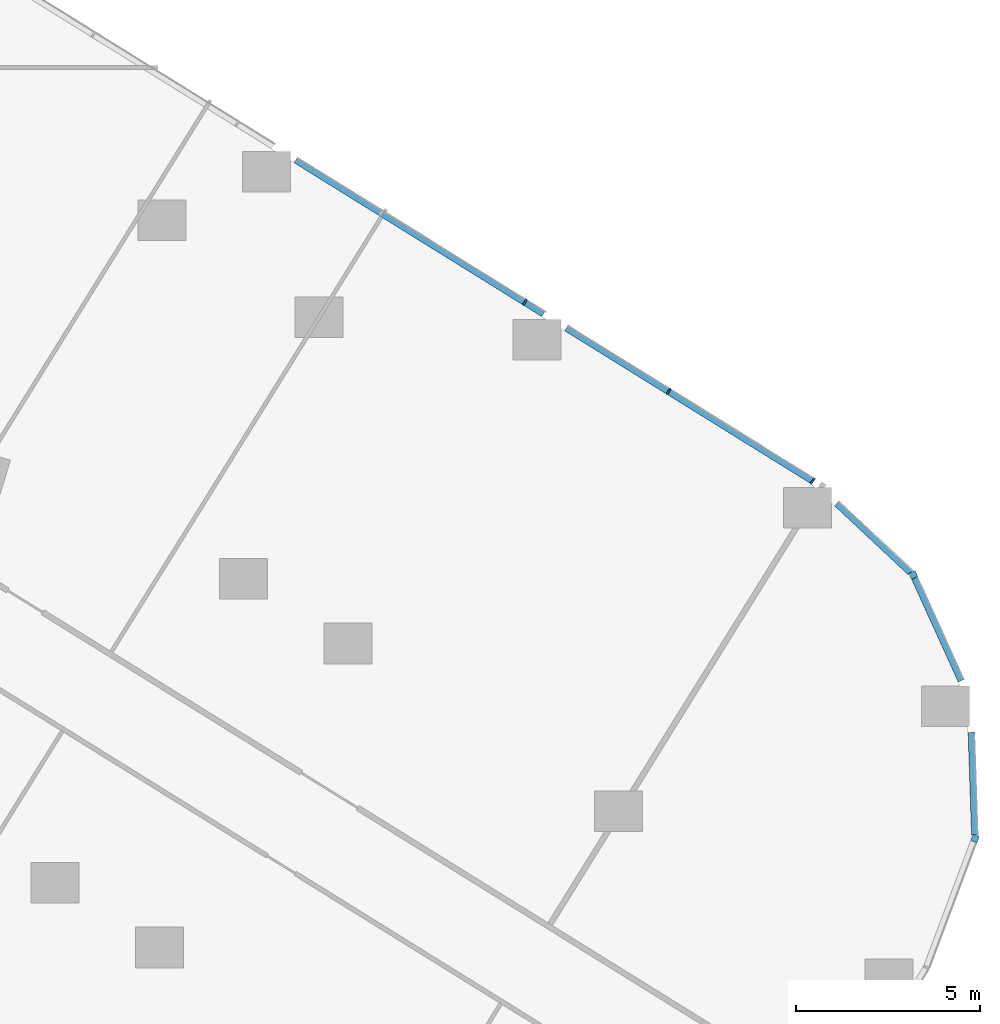
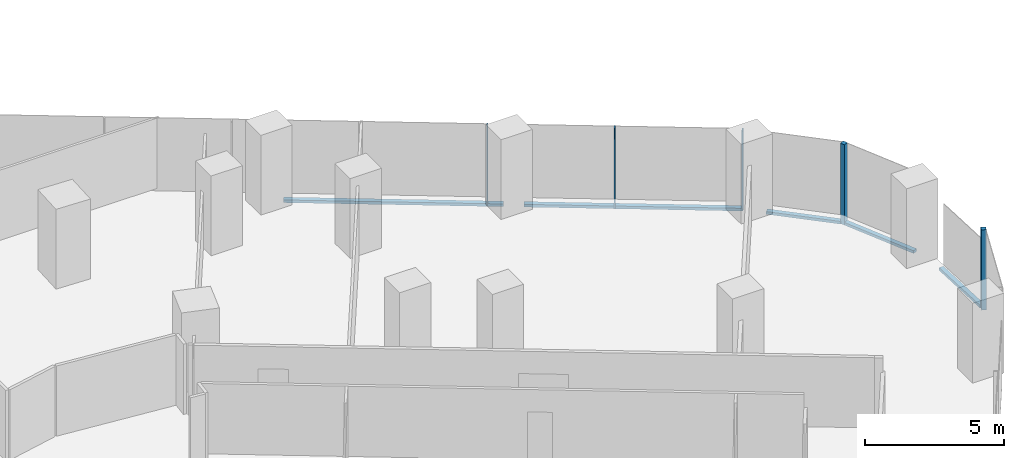
# One storey, part 11 of 33: 10 members, 5 elements without a shape of their own.
"""IFC4 building model written with IfcOpenShell, lengths in metres."""

from ifc_helpers import new_model, si_unit, direction, frame, origin, origin_2d, place, context, subcontext, project, spatial, rectangle, extrude, material, material_profile, profile_set, type_object, element, aggregate, save


model = new_model("IFC4")

# Units and contexts
model_context = context("Model", 3, precision=1e-05, world=origin(), true_north=direction((0.0, 1.0)))
body_context = subcontext(model_context, "Body", "Model", "MODEL_VIEW")
ifc_project = project(units=[si_unit("LENGTHUNIT", "METRE"), si_unit("AREAUNIT", "SQUARE_METRE"), si_unit("VOLUMEUNIT", "CUBIC_METRE"), si_unit("PLANEANGLEUNIT", "RADIAN"), si_unit("MASSUNIT", "GRAM", prefix="KILO")], contexts=[model_context])

# Site, building, storey
site_placement = place(None, origin())
site = spatial("IfcSite", under=ifc_project, at=site_placement, CompositionType="ELEMENT")
building_placement = place(site_placement, origin())
building = spatial("IfcBuilding", under=site, at=building_placement, Name="Orlundy Tower", CompositionType="ELEMENT")
storey_placement = place(building_placement, frame((0.0, 0.0, 51.300048828125)))
storey = spatial("IfcBuildingStorey", under=building, at=storey_placement, Name="L11", CompositionType="ELEMENT", Elevation=51.300048828125)

# Curtain wall, member
ifc_material_1 = material(Name="Aluminium bronze anodised", Category="aluminium")
curtain_wall_type = type_object("IfcCurtainWallType", Name="CW1 wall", PredefinedType="NOTDEFINED", material=ifc_material_1)
curtain_wall_1_placement = place(storey_placement, origin())
curtain_wall_1 = element("IfcCurtainWall", 1, at=curtain_wall_1_placement, inside=storey, type_object=curtain_wall_type, Name="CW1 run 08", PredefinedType="NOTDEFINED")
ifc_material_2 = material(Name="Aluminium bronze anodised", Category="aluminium")
ifc_material_profile_1 = material_profile(ifc_material_2, rectangle(XDim=0.179931640625, YDim=0.179931640625, at=origin_2d()), Name="CW1 corner post 180x180")
ifc_profile_set_1 = profile_set([ifc_material_profile_1], Name="Aluminium bronze anodised")
member_type_1 = type_object("IfcMemberType", Name="CW1 corner post 180x180", PredefinedType="MULLION", material=ifc_profile_set_1)
member_1_placement = place(storey_placement, frame((55.810546875, -11.859375, -0.420166015625), z_axis=(0.0, 0.0, 1.0), x_axis=(0.91057887201, 0.413335357608, 0.0)))
member_1 = element("IfcMember", 2, at=member_1_placement, type_object=member_type_1, Name="CW1 mullion 33", PredefinedType="MULLION", context=body_context, shape_type="SweptSolid", body=[
    extrude(rectangle(XDim=0.179931640625, YDim=0.179931640625, at=origin_2d()), origin(), (0.0, 0.0, 1.0), 3.52001953125),
])

curtain_wall_2_placement = place(storey_placement, origin())
curtain_wall_2 = element("IfcCurtainWall", 3, at=curtain_wall_2_placement, inside=storey, type_object=curtain_wall_type, Name="CW1 run 010", PredefinedType="NOTDEFINED")
member_2_placement = place(storey_placement, frame((57.482666015625, -19.0078125, -0.420166015625), z_axis=(0.0, 0.0, 1.0), x_axis=(0.936173864009, -0.351537332791, 0.0)))
member_2 = element("IfcMember", 4, at=member_2_placement, type_object=member_type_1, Name="CW1 mullion 35", PredefinedType="MULLION", context=body_context, shape_type="SweptSolid", body=[
    extrude(rectangle(XDim=0.179931640625, YDim=0.179931640625, at=origin_2d()), origin(), (0.0, 0.0, 1.0), 3.52001953125),
])
aggregate(curtain_wall_2, [member_2])

# Curtain wall, members
curtain_wall_3_placement = place(storey_placement, origin())
curtain_wall_3 = element("IfcCurtainWall", 5, at=curtain_wall_3_placement, inside=storey, type_object=curtain_wall_type, Name="CW1 run 06", PredefinedType="NOTDEFINED")
ifc_material_3 = material(Name="Aluminium bronze anodised", Category="aluminium")
ifc_material_profile_2 = material_profile(ifc_material_3, rectangle(XDim=0.179931640625, YDim=0.050048828125, at=origin_2d()), Name="CW1 mullion 50x180")
ifc_profile_set_2 = profile_set([ifc_material_profile_2], Name="Aluminium bronze anodised")
member_type_2 = type_object("IfcMemberType", Name="CW1 mullion 50x180", PredefinedType="MULLION", material=ifc_profile_set_2)
member_3_placement = place(storey_placement, frame((45.278564453125, -4.4638671875, -0.420166015625), z_axis=(0.0, 0.0, 1.0), x_axis=(0.527453271529, 0.849584043137, 0.0)))
member_3 = element("IfcMember", 6, at=member_3_placement, type_object=member_type_2, Name="CW1 mullion 30", PredefinedType="MULLION", context=body_context, shape_type="SweptSolid", body=[
    extrude(rectangle(XDim=0.179931640625, YDim=0.050048828125, at=origin_2d()), origin(), (0.0, 0.0, 1.0), 3.52001953125),
])
member_4_placement = place(storey_placement, frame((49.177001953125, -6.88427734375, -0.420166015625), z_axis=(0.0, 0.0, 1.0), x_axis=(0.527453271529, 0.849584043137, 0.0)))
member_4 = element("IfcMember", 7, at=member_4_placement, type_object=member_type_2, Name="CW1 mullion 31", PredefinedType="MULLION", context=body_context, shape_type="SweptSolid", body=[
    extrude(rectangle(XDim=0.179931640625, YDim=0.050048828125, at=origin_2d()), origin(), (0.0, 0.0, 1.0), 3.52001953125),
])

# Curtain wall, member
curtain_wall_4_placement = place(storey_placement, origin())
curtain_wall_4 = element("IfcCurtainWall", 8, at=curtain_wall_4_placement, inside=storey, type_object=curtain_wall_type, Name="CW1 run 07", PredefinedType="NOTDEFINED")
member_5_placement = place(storey_placement, frame((53.0830078125, -9.309326171875, -0.420166015625), z_axis=(0.0, 0.0, 1.0), x_axis=(0.608136954191, 0.793832126427, 0.0)))
member_5 = element("IfcMember", 9, at=member_5_placement, type_object=member_type_2, Name="CW1 mullion 32", PredefinedType="MULLION", context=body_context, shape_type="SweptSolid", body=[
    extrude(rectangle(XDim=0.179931640625, YDim=0.050048828125, at=origin_2d()), origin(), (0.0, 0.0, 1.0), 3.52001953125),
])

# Member
ifc_material_4 = material(Name="Aluminium bronze anodised", Category="aluminium")
ifc_material_profile_3 = material_profile(ifc_material_4, rectangle(XDim=0.179931640625, YDim=0.1201171875, at=origin_2d()), Name="CW1 transom 180x120")
ifc_profile_set_3 = profile_set([ifc_material_profile_3], Name="Aluminium bronze anodised")
member_type_3 = type_object("IfcMemberType", Name="CW1 transom 180x120", PredefinedType="USERDEFINED", material=ifc_profile_set_3)
member_6_placement = place(storey_placement, frame((39.069091796875, -0.60888671875, -0.360107421875), z_axis=(0.84958050757, -0.527458966326, 0.0), x_axis=(0.527458966326, 0.84958050757, 0.0)))
member_6 = element("IfcMember", 10, at=member_6_placement, type_object=member_type_3, Name="CW1 transom", ObjectType="TRANSOM", PredefinedType="USERDEFINED", context=body_context, shape_type="SweptSolid", body=[
    extrude(rectangle(XDim=0.179931640625, YDim=0.1201171875, at=origin_2d()), origin(), (0.0, 0.0, 1.0), 7.904296875),
])

member_7_placement = place(storey_placement, frame((46.404052734375, -5.16259765625, -0.360107421875), z_axis=(0.849587212387, -0.527448166693, 0.0), x_axis=(0.527448166693, 0.849587212387, 0.0)))
member_7 = element("IfcMember", 11, at=member_7_placement, type_object=member_type_3, Name="CW1 transom", ObjectType="TRANSOM", PredefinedType="USERDEFINED", context=body_context, shape_type="SweptSolid", body=[
    extrude(rectangle(XDim=0.179931640625, YDim=0.1201171875, at=origin_2d()), origin(), (0.0, 0.0, 1.0), 7.83642578125),
])

aggregate(curtain_wall_3, [member_3, member_4, member_6, member_7])

member_8_placement = place(storey_placement, frame((53.736083984375, -9.919677734375, -0.360107421875), z_axis=(0.73043039974, -0.682987138338, 0.0), x_axis=(0.682987138338, 0.73043039974, 0.0)))
member_8 = element("IfcMember", 12, at=member_8_placement, type_object=member_type_3, Name="CW1 transom", ObjectType="TRANSOM", PredefinedType="USERDEFINED", context=body_context, shape_type="SweptSolid", body=[
    extrude(rectangle(XDim=0.179931640625, YDim=0.1201171875, at=origin_2d()), origin(), (0.0, 0.0, 1.0), 2.74267578125),
])

aggregate(curtain_wall_4, [member_5, member_8])

member_9_placement = place(storey_placement, frame((55.84765625, -11.94140625, -0.360107421875), z_axis=(0.413357645498, -0.91056875463, 0.0), x_axis=(0.91056875463, 0.413357645498, 0.0)))
member_9 = element("IfcMember", 13, at=member_9_placement, type_object=member_type_3, Name="CW1 transom", ObjectType="TRANSOM", PredefinedType="USERDEFINED", context=body_context, shape_type="SweptSolid", body=[
    extrude(rectangle(XDim=0.179931640625, YDim=0.1201171875, at=origin_2d()), origin(), (0.0, 0.0, 1.0), 3.05712890625),
])

aggregate(curtain_wall_1, [member_1, member_9])

# Curtain wall, member
curtain_wall_5_placement = place(storey_placement, origin())
curtain_wall_5 = element("IfcCurtainWall", 14, at=curtain_wall_5_placement, inside=storey, type_object=curtain_wall_type, Name="CW1 run 09", PredefinedType="NOTDEFINED")
member_10_placement = place(storey_placement, frame((57.385986328125, -16.125, -0.360107421875), z_axis=(0.033463586298, -0.999439937361, 0.0), x_axis=(0.999439937361, 0.033463586298, 0.0)))
member_10 = element("IfcMember", 15, at=member_10_placement, type_object=member_type_3, Name="CW1 transom", ObjectType="TRANSOM", PredefinedType="USERDEFINED", context=body_context, shape_type="SweptSolid", body=[
    extrude(rectangle(XDim=0.179931640625, YDim=0.1201171875, at=origin_2d()), origin(), (0.0, 0.0, 1.0), 2.786865234375),
])
aggregate(curtain_wall_5, [member_10])

save(model, "model.ifc")
